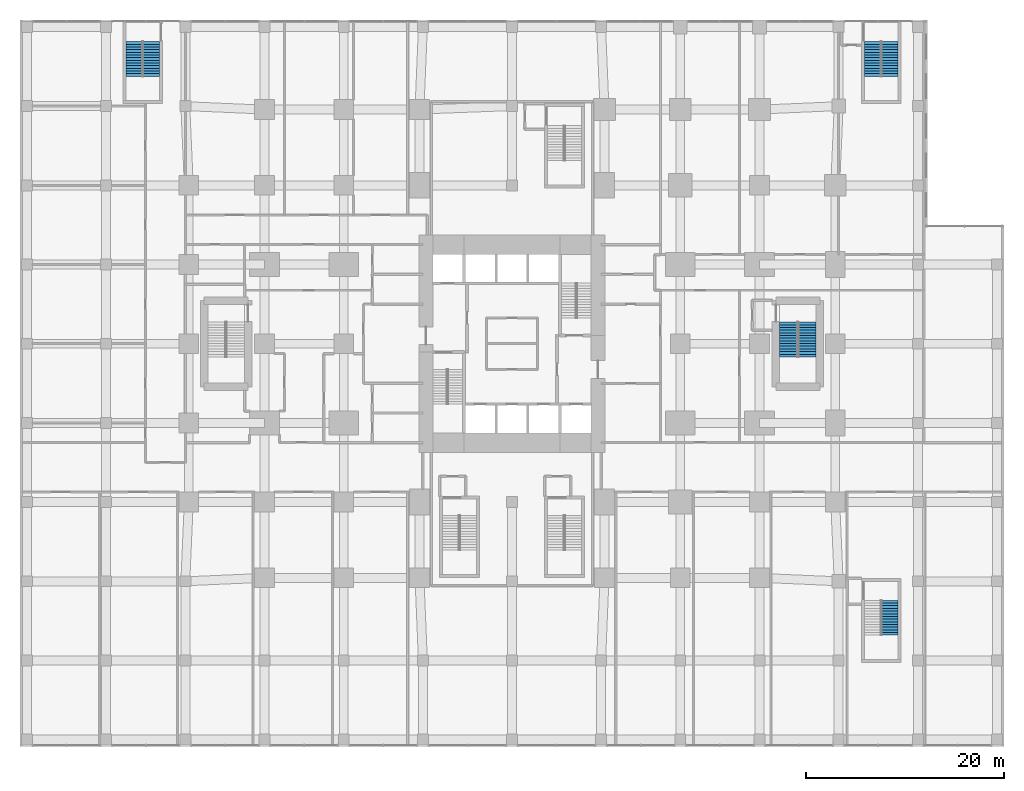
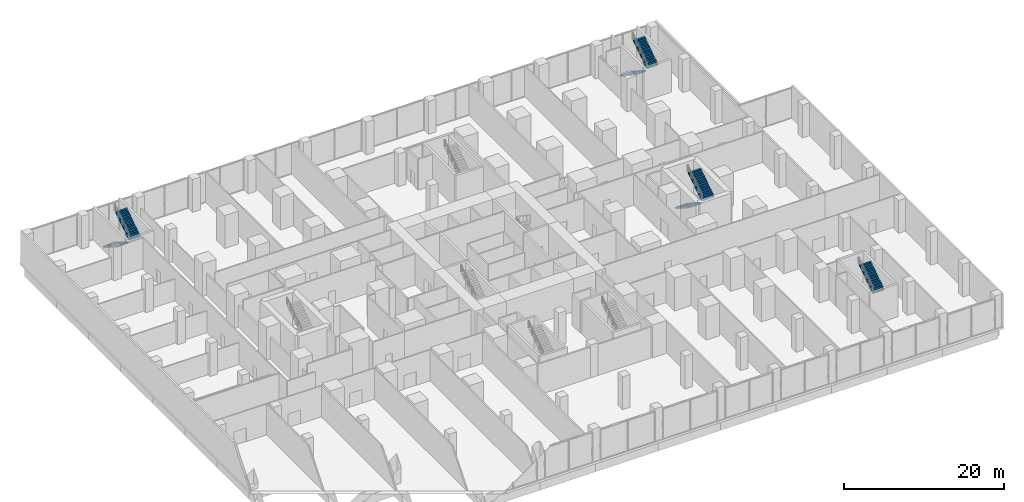
# One storey, part 21 of 22: 7 stair flights, 4 elements without a shape of their own.
"""IFC4 building model written with IfcOpenShell, lengths in metres."""

from ifc_helpers import new_model, si_unit, direction, frame, origin, place, context, subcontext, project, spatial, polyline, outline, extrude, material, type_object, element, aggregate, save


model = new_model("IFC4")

# Units and contexts
model_context = context("Model", 3, precision=1e-05, world=origin(), true_north=direction((0.0, 1.0)))
body_context = subcontext(model_context, "Body", "Model", "MODEL_VIEW")
ifc_project = project(units=[si_unit("LENGTHUNIT", "METRE"), si_unit("AREAUNIT", "SQUARE_METRE"), si_unit("VOLUMEUNIT", "CUBIC_METRE"), si_unit("PLANEANGLEUNIT", "RADIAN"), si_unit("MASSUNIT", "GRAM", prefix="KILO")], contexts=[model_context])

# Site, building, storey
site_placement = place(None, origin())
site = spatial("IfcSite", under=ifc_project, at=site_placement, CompositionType="ELEMENT")
building_placement = place(site_placement, origin())
building = spatial("IfcBuilding", under=site, at=building_placement, Name="Cleftline Residences", CompositionType="ELEMENT")
storey_placement = place(building_placement, frame((0.0, 0.0, 6.0)))
storey = spatial("IfcBuildingStorey", under=building, at=storey_placement, Name="L01", CompositionType="ELEMENT", Elevation=6.0)

# Stair, stair flights
ifc_material_1 = material(Name="Concrete B45, stone treads", Category="masonry")
stair_type_1 = type_object("IfcStairType", Name="STAIR E 1800 WIDE 179 RISER", PredefinedType="HALF_TURN_STAIR", material=ifc_material_1)
stair_1_placement = place(storey_placement, origin())
stair_1 = element("IfcStair", 1, at=stair_1_placement, inside=storey, type_object=stair_type_1, Name="Stair E L01", PredefinedType="HALF_TURN_STAIR")
ifc_material_2 = material(Name="Concrete B45", Category="concrete")
stair_flight_type_1 = type_object("IfcStairFlightType", Name="STAIR E FLIGHT 1800X179", PredefinedType="STRAIGHT", material=ifc_material_2)
stair_flight_1_placement = place(storey_placement, frame((60.925048828125, 26.175048828125, 0.0), z_axis=(0.0, 0.0, 1.0), x_axis=(0.0, -1.0, 0.0)))
stair_flight_1 = element("IfcStairFlight", 2, at=stair_flight_1_placement, type_object=stair_flight_type_1, Name="ST-E flight 1", NumberOfRisers=14, NumberOfTreads=13, PredefinedType="STRAIGHT", RiserHeight=0.178571429, TreadLength=0.27, context=body_context, shape_type="SweptSolid", body=[
    extrude(outline(polyline([(0.0, 0.0), (0.0, 0.013671875), (0.0, 0.027587890625), (0.0, 0.041259765625), (0.0, 0.054931640625), (0.0, 0.068603515625), (0.0, 0.08251953125), (0.0, 0.09619140625), (0.0, 0.10986328125), (0.0, 0.12353515625), (0.0, 0.137451171875), (0.0, 0.151123046875), (0.0, 0.164794921875), (0.0, 0.178466796875), (0.27001953125, 0.178466796875), (0.27001953125, 0.357177734375), (0.5400390625, 0.357177734375), (0.5400390625, 0.53564453125), (0.81005859375, 0.53564453125), (0.81005859375, 0.71435546875), (1.080078125, 0.71435546875), (1.080078125, 0.892822265625), (1.35009765625, 0.892822265625), (1.35009765625, 1.071533203125), (1.6201171875, 1.071533203125), (1.6201171875, 1.25), (1.889892578125, 1.25), (1.889892578125, 1.428466796875), (2.159912109375, 1.428466796875), (2.159912109375, 1.607177734375), (2.429931640625, 1.607177734375), (2.429931640625, 1.78564453125), (2.699951171875, 1.78564453125), (2.699951171875, 1.96435546875), (2.969970703125, 1.96435546875), (2.969970703125, 2.142822265625), (3.239990234375, 2.142822265625), (3.239990234375, 2.321533203125), (3.510009765625, 2.321533203125), (3.510009765625, 2.5), (3.510009765625, 2.472412109375), (3.510009765625, 2.44482421875), (3.510009765625, 2.417236328125), (3.510009765625, 2.3896484375), (3.510009765625, 2.3623046875), (3.510009765625, 2.334716796875), (3.510009765625, 2.30712890625), (3.510009765625, 2.279541015625), (3.510009765625, 2.251953125), (3.510009765625, 2.224365234375), (3.510009765625, 2.19677734375), (3.510009765625, 2.169189453125), (3.510009765625, 2.1416015625), (0.271728515625, 0.0), (0.0, 0.0)])), frame((0.0, 0.89990234375, 0.0), z_axis=(0.0, -1.0, 0.0), x_axis=(1.0, 0.0, 0.0)), (0.0, 0.0, 1.0), 1.800048828125),
])
stair_flight_2_placement = place(storey_placement, frame((62.824951171875, 22.6650390625, 2.5), z_axis=(0.0, 0.0, 1.0), x_axis=(0.0, 1.0, 0.0)))
stair_flight_2 = element("IfcStairFlight", 3, at=stair_flight_2_placement, type_object=stair_flight_type_1, Name="ST-E flight 2", NumberOfRisers=14, NumberOfTreads=13, PredefinedType="STRAIGHT", RiserHeight=0.178571429, TreadLength=0.27, context=body_context, shape_type="SweptSolid", body=[
    extrude(outline(polyline([(0.0, 0.0), (0.0, 0.013671875), (0.0, 0.027587890625), (0.0, 0.041259765625), (0.0, 0.054931640625), (0.0, 0.068603515625), (0.0, 0.08251953125), (0.0, 0.09619140625), (0.0, 0.10986328125), (0.0, 0.12353515625), (0.0, 0.137451171875), (0.0, 0.151123046875), (0.0, 0.164794921875), (0.0, 0.178466796875), (0.27001953125, 0.178466796875), (0.27001953125, 0.357177734375), (0.5400390625, 0.357177734375), (0.5400390625, 0.53564453125), (0.81005859375, 0.53564453125), (0.81005859375, 0.71435546875), (1.080078125, 0.71435546875), (1.080078125, 0.892822265625), (1.35009765625, 0.892822265625), (1.35009765625, 1.071533203125), (1.6201171875, 1.071533203125), (1.6201171875, 1.25), (1.889892578125, 1.25), (1.889892578125, 1.428466796875), (2.159912109375, 1.428466796875), (2.159912109375, 1.607177734375), (2.429931640625, 1.607177734375), (2.429931640625, 1.78564453125), (2.699951171875, 1.78564453125), (2.699951171875, 1.96435546875), (2.969970703125, 1.96435546875), (2.969970703125, 2.142822265625), (3.239990234375, 2.142822265625), (3.239990234375, 2.321533203125), (3.510009765625, 2.321533203125), (3.510009765625, 2.5), (3.510009765625, 2.472412109375), (3.510009765625, 2.44482421875), (3.510009765625, 2.417236328125), (3.510009765625, 2.3896484375), (3.510009765625, 2.3623046875), (3.510009765625, 2.334716796875), (3.510009765625, 2.30712890625), (3.510009765625, 2.279541015625), (3.510009765625, 2.251953125), (3.510009765625, 2.224365234375), (3.510009765625, 2.19677734375), (3.510009765625, 2.169189453125), (3.510009765625, 2.1416015625), (0.271728515625, 0.0), (0.0, 0.0)])), frame((0.0, 0.89990234375, 0.0), z_axis=(0.0, -1.0, 0.0), x_axis=(1.0, 0.0, 0.0)), (0.0, 0.0, 1.0), 1.800048828125),
])
aggregate(stair_1, [stair_flight_1, stair_flight_2])

ifc_material_3 = material(Name="Concrete B45, stone treads", Category="masonry")
stair_type_2 = type_object("IfcStairType", Name="STAIR PS-E 1630 WIDE 179 RISER", PredefinedType="HALF_TURN_STAIR", material=ifc_material_3)
stair_2_placement = place(storey_placement, origin())
stair_2 = element("IfcStair", 4, at=stair_2_placement, inside=storey, type_object=stair_type_2, Name="Stair PS-E L01", PredefinedType="HALF_TURN_STAIR")
ifc_material_4 = material(Name="Concrete B45", Category="concrete")
stair_flight_type_2 = type_object("IfcStairFlightType", Name="STAIR PS-E FLIGHT 1630X179", PredefinedType="STRAIGHT", material=ifc_material_4)
stair_flight_3_placement = place(storey_placement, frame((69.4150390625, 54.52001953125, 0.0), z_axis=(0.0, 0.0, 1.0), x_axis=(0.0, -1.0, 0.0)))
stair_flight_3 = element("IfcStairFlight", 5, at=stair_flight_3_placement, type_object=stair_flight_type_2, Name="ST-PS-E flight 1", NumberOfRisers=14, NumberOfTreads=13, PredefinedType="STRAIGHT", RiserHeight=0.178571429, TreadLength=0.27, context=body_context, shape_type="SweptSolid", body=[
    extrude(outline(polyline([(0.0, 0.0), (0.0, 0.013671875), (0.0, 0.027587890625), (0.0, 0.041259765625), (0.0, 0.054931640625), (0.0, 0.068603515625), (0.0, 0.08251953125), (0.0, 0.09619140625), (0.0, 0.10986328125), (0.0, 0.12353515625), (0.0, 0.137451171875), (0.0, 0.151123046875), (0.0, 0.164794921875), (0.0, 0.178466796875), (0.27001953125, 0.178466796875), (0.27001953125, 0.357177734375), (0.5400390625, 0.357177734375), (0.5400390625, 0.53564453125), (0.81005859375, 0.53564453125), (0.81005859375, 0.71435546875), (1.080078125, 0.71435546875), (1.080078125, 0.892822265625), (1.35009765625, 0.892822265625), (1.35009765625, 1.071533203125), (1.6201171875, 1.071533203125), (1.6201171875, 1.25), (1.889892578125, 1.25), (1.889892578125, 1.428466796875), (2.159912109375, 1.428466796875), (2.159912109375, 1.607177734375), (2.429931640625, 1.607177734375), (2.429931640625, 1.78564453125), (2.699951171875, 1.78564453125), (2.699951171875, 1.96435546875), (2.969970703125, 1.96435546875), (2.969970703125, 2.142822265625), (3.239990234375, 2.142822265625), (3.239990234375, 2.321533203125), (3.510009765625, 2.321533203125), (3.510009765625, 2.5), (3.510009765625, 2.472412109375), (3.510009765625, 2.44482421875), (3.510009765625, 2.417236328125), (3.510009765625, 2.3896484375), (3.510009765625, 2.3623046875), (3.510009765625, 2.334716796875), (3.510009765625, 2.30712890625), (3.510009765625, 2.279541015625), (3.510009765625, 2.251953125), (3.510009765625, 2.224365234375), (3.510009765625, 2.19677734375), (3.510009765625, 2.169189453125), (3.510009765625, 2.1416015625), (0.271728515625, 0.0), (0.0, 0.0)])), frame((0.0, 0.81494140625, 0.0), z_axis=(0.0, -1.0, 0.0), x_axis=(1.0, 0.0, 0.0)), (0.0, 0.0, 1.0), 1.6298828125),
])
stair_flight_4_placement = place(storey_placement, frame((71.18505859375, 51.010009765625, 2.5), z_axis=(0.0, 0.0, 1.0), x_axis=(0.0, 1.0, 0.0)))
stair_flight_4 = element("IfcStairFlight", 6, at=stair_flight_4_placement, type_object=stair_flight_type_2, Name="ST-PS-E flight 2", NumberOfRisers=14, NumberOfTreads=13, PredefinedType="STRAIGHT", RiserHeight=0.178571429, TreadLength=0.27, context=body_context, shape_type="SweptSolid", body=[
    extrude(outline(polyline([(0.0, 0.0), (0.0, 0.013671875), (0.0, 0.027587890625), (0.0, 0.041259765625), (0.0, 0.054931640625), (0.0, 0.068603515625), (0.0, 0.08251953125), (0.0, 0.09619140625), (0.0, 0.10986328125), (0.0, 0.12353515625), (0.0, 0.137451171875), (0.0, 0.151123046875), (0.0, 0.164794921875), (0.0, 0.178466796875), (0.27001953125, 0.178466796875), (0.27001953125, 0.357177734375), (0.5400390625, 0.357177734375), (0.5400390625, 0.53564453125), (0.81005859375, 0.53564453125), (0.81005859375, 0.71435546875), (1.080078125, 0.71435546875), (1.080078125, 0.892822265625), (1.35009765625, 0.892822265625), (1.35009765625, 1.071533203125), (1.6201171875, 1.071533203125), (1.6201171875, 1.25), (1.889892578125, 1.25), (1.889892578125, 1.428466796875), (2.159912109375, 1.428466796875), (2.159912109375, 1.607177734375), (2.429931640625, 1.607177734375), (2.429931640625, 1.78564453125), (2.699951171875, 1.78564453125), (2.699951171875, 1.96435546875), (2.969970703125, 1.96435546875), (2.969970703125, 2.142822265625), (3.239990234375, 2.142822265625), (3.239990234375, 2.321533203125), (3.510009765625, 2.321533203125), (3.510009765625, 2.5), (3.510009765625, 2.472412109375), (3.510009765625, 2.44482421875), (3.510009765625, 2.417236328125), (3.510009765625, 2.3896484375), (3.510009765625, 2.3623046875), (3.510009765625, 2.334716796875), (3.510009765625, 2.30712890625), (3.510009765625, 2.279541015625), (3.510009765625, 2.251953125), (3.510009765625, 2.224365234375), (3.510009765625, 2.19677734375), (3.510009765625, 2.169189453125), (3.510009765625, 2.1416015625), (0.271728515625, 0.0), (0.0, 0.0)])), frame((0.0, 0.81494140625, 0.0), z_axis=(0.0, -1.0, 0.0), x_axis=(1.0, 0.0, 0.0)), (0.0, 0.0, 1.0), 1.6298828125),
])
aggregate(stair_2, [stair_flight_3, stair_flight_4])

# Stair, stair flight
ifc_material_5 = material(Name="Concrete B45, stone treads", Category="masonry")
stair_type_3 = type_object("IfcStairType", Name="STAIR PS-S 1630 WIDE 179 RISER", PredefinedType="HALF_TURN_STAIR", material=ifc_material_5)
stair_3_placement = place(storey_placement, origin())
stair_3 = element("IfcStair", 7, at=stair_3_placement, inside=storey, type_object=stair_type_3, Name="Stair PS-S L01", PredefinedType="HALF_TURN_STAIR")
ifc_material_6 = material(Name="Concrete B45", Category="concrete")
stair_flight_type_3 = type_object("IfcStairFlightType", Name="STAIR PS-S FLIGHT 1630X179", PredefinedType="STRAIGHT", material=ifc_material_6)
stair_flight_5_placement = place(storey_placement, frame((71.18505859375, -5.43994140625, 2.5), z_axis=(0.0, 0.0, 1.0), x_axis=(0.0, 1.0, 0.0)))
stair_flight_5 = element("IfcStairFlight", 8, at=stair_flight_5_placement, type_object=stair_flight_type_3, Name="ST-PS-S flight 2", NumberOfRisers=14, NumberOfTreads=13, PredefinedType="STRAIGHT", RiserHeight=0.178571429, TreadLength=0.27, context=body_context, shape_type="SweptSolid", body=[
    extrude(outline(polyline([(0.0, 0.0), (0.0, 0.013671875), (0.0, 0.027587890625), (0.0, 0.041259765625), (0.0, 0.054931640625), (0.0, 0.068603515625), (0.0, 0.08251953125), (0.0, 0.09619140625), (0.0, 0.10986328125), (0.0, 0.12353515625), (0.0, 0.137451171875), (0.0, 0.151123046875), (0.0, 0.164794921875), (0.0, 0.178466796875), (0.27001953125, 0.178466796875), (0.27001953125, 0.357177734375), (0.5400390625, 0.357177734375), (0.5400390625, 0.53564453125), (0.81005859375, 0.53564453125), (0.81005859375, 0.71435546875), (1.080078125, 0.71435546875), (1.080078125, 0.892822265625), (1.35009765625, 0.892822265625), (1.35009765625, 1.071533203125), (1.6201171875, 1.071533203125), (1.6201171875, 1.25), (1.889892578125, 1.25), (1.889892578125, 1.428466796875), (2.159912109375, 1.428466796875), (2.159912109375, 1.607177734375), (2.429931640625, 1.607177734375), (2.429931640625, 1.78564453125), (2.699951171875, 1.78564453125), (2.699951171875, 1.96435546875), (2.969970703125, 1.96435546875), (2.969970703125, 2.142822265625), (3.239990234375, 2.142822265625), (3.239990234375, 2.321533203125), (3.510009765625, 2.321533203125), (3.510009765625, 2.5), (3.510009765625, 2.472412109375), (3.510009765625, 2.44482421875), (3.510009765625, 2.417236328125), (3.510009765625, 2.3896484375), (3.510009765625, 2.3623046875), (3.510009765625, 2.334716796875), (3.510009765625, 2.30712890625), (3.510009765625, 2.279541015625), (3.510009765625, 2.251953125), (3.510009765625, 2.224365234375), (3.510009765625, 2.19677734375), (3.510009765625, 2.169189453125), (3.510009765625, 2.1416015625), (0.271728515625, 0.0), (0.0, 0.0)])), frame((0.0, 0.81494140625, 0.0), z_axis=(0.0, -1.0, 0.0), x_axis=(1.0, 0.0, 0.0)), (0.0, 0.0, 1.0), 1.6298828125),
])
aggregate(stair_3, [stair_flight_5])

# Stair, stair flights
ifc_material_7 = material(Name="Concrete B45, stone treads", Category="masonry")
stair_type_4 = type_object("IfcStairType", Name="STAIR PS-W 1630 WIDE 179 RISER", PredefinedType="HALF_TURN_STAIR", material=ifc_material_7)
stair_4_placement = place(storey_placement, origin())
stair_4 = element("IfcStair", 9, at=stair_4_placement, inside=storey, type_object=stair_type_4, Name="Stair PS-W L01", PredefinedType="HALF_TURN_STAIR")
ifc_material_8 = material(Name="Concrete B45", Category="concrete")
stair_flight_type_4 = type_object("IfcStairFlightType", Name="STAIR PS-W FLIGHT 1630X179", PredefinedType="STRAIGHT", material=ifc_material_8)
stair_flight_6_placement = place(storey_placement, frame((-5.18505859375, 54.52001953125, 0.0), z_axis=(0.0, 0.0, 1.0), x_axis=(0.0, -1.0, 0.0)))
stair_flight_6 = element("IfcStairFlight", 10, at=stair_flight_6_placement, type_object=stair_flight_type_4, Name="ST-PS-W flight 1", NumberOfRisers=14, NumberOfTreads=13, PredefinedType="STRAIGHT", RiserHeight=0.178571429, TreadLength=0.27, context=body_context, shape_type="SweptSolid", body=[
    extrude(outline(polyline([(0.0, 0.0), (0.0, 0.013671875), (0.0, 0.027587890625), (0.0, 0.041259765625), (0.0, 0.054931640625), (0.0, 0.068603515625), (0.0, 0.08251953125), (0.0, 0.09619140625), (0.0, 0.10986328125), (0.0, 0.12353515625), (0.0, 0.137451171875), (0.0, 0.151123046875), (0.0, 0.164794921875), (0.0, 0.178466796875), (0.27001953125, 0.178466796875), (0.27001953125, 0.357177734375), (0.5400390625, 0.357177734375), (0.5400390625, 0.53564453125), (0.81005859375, 0.53564453125), (0.81005859375, 0.71435546875), (1.080078125, 0.71435546875), (1.080078125, 0.892822265625), (1.35009765625, 0.892822265625), (1.35009765625, 1.071533203125), (1.6201171875, 1.071533203125), (1.6201171875, 1.25), (1.889892578125, 1.25), (1.889892578125, 1.428466796875), (2.159912109375, 1.428466796875), (2.159912109375, 1.607177734375), (2.429931640625, 1.607177734375), (2.429931640625, 1.78564453125), (2.699951171875, 1.78564453125), (2.699951171875, 1.96435546875), (2.969970703125, 1.96435546875), (2.969970703125, 2.142822265625), (3.239990234375, 2.142822265625), (3.239990234375, 2.321533203125), (3.510009765625, 2.321533203125), (3.510009765625, 2.5), (3.510009765625, 2.472412109375), (3.510009765625, 2.44482421875), (3.510009765625, 2.417236328125), (3.510009765625, 2.3896484375), (3.510009765625, 2.3623046875), (3.510009765625, 2.334716796875), (3.510009765625, 2.30712890625), (3.510009765625, 2.279541015625), (3.510009765625, 2.251953125), (3.510009765625, 2.224365234375), (3.510009765625, 2.19677734375), (3.510009765625, 2.169189453125), (3.510009765625, 2.1416015625), (0.271728515625, 0.0), (0.0, 0.0)])), frame((0.0, 0.81494140625, 0.0), z_axis=(0.0, -1.0, 0.0), x_axis=(1.0, 0.0, 0.0)), (0.0, 0.0, 1.0), 1.6298828125),
])
stair_flight_7_placement = place(storey_placement, frame((-3.4150390625, 51.010009765625, 2.5), z_axis=(0.0, 0.0, 1.0), x_axis=(0.0, 1.0, 0.0)))
stair_flight_7 = element("IfcStairFlight", 11, at=stair_flight_7_placement, type_object=stair_flight_type_4, Name="ST-PS-W flight 2", NumberOfRisers=14, NumberOfTreads=13, PredefinedType="STRAIGHT", RiserHeight=0.178571429, TreadLength=0.27, context=body_context, shape_type="SweptSolid", body=[
    extrude(outline(polyline([(0.0, 0.0), (0.0, 0.013671875), (0.0, 0.027587890625), (0.0, 0.041259765625), (0.0, 0.054931640625), (0.0, 0.068603515625), (0.0, 0.08251953125), (0.0, 0.09619140625), (0.0, 0.10986328125), (0.0, 0.12353515625), (0.0, 0.137451171875), (0.0, 0.151123046875), (0.0, 0.164794921875), (0.0, 0.178466796875), (0.27001953125, 0.178466796875), (0.27001953125, 0.357177734375), (0.5400390625, 0.357177734375), (0.5400390625, 0.53564453125), (0.81005859375, 0.53564453125), (0.81005859375, 0.71435546875), (1.080078125, 0.71435546875), (1.080078125, 0.892822265625), (1.35009765625, 0.892822265625), (1.35009765625, 1.071533203125), (1.6201171875, 1.071533203125), (1.6201171875, 1.25), (1.889892578125, 1.25), (1.889892578125, 1.428466796875), (2.159912109375, 1.428466796875), (2.159912109375, 1.607177734375), (2.429931640625, 1.607177734375), (2.429931640625, 1.78564453125), (2.699951171875, 1.78564453125), (2.699951171875, 1.96435546875), (2.969970703125, 1.96435546875), (2.969970703125, 2.142822265625), (3.239990234375, 2.142822265625), (3.239990234375, 2.321533203125), (3.510009765625, 2.321533203125), (3.510009765625, 2.5), (3.510009765625, 2.472412109375), (3.510009765625, 2.44482421875), (3.510009765625, 2.417236328125), (3.510009765625, 2.3896484375), (3.510009765625, 2.3623046875), (3.510009765625, 2.334716796875), (3.510009765625, 2.30712890625), (3.510009765625, 2.279541015625), (3.510009765625, 2.251953125), (3.510009765625, 2.224365234375), (3.510009765625, 2.19677734375), (3.510009765625, 2.169189453125), (3.510009765625, 2.1416015625), (0.271728515625, 0.0), (0.0, 0.0)])), frame((0.0, 0.81494140625, 0.0), z_axis=(0.0, -1.0, 0.0), x_axis=(1.0, 0.0, 0.0)), (0.0, 0.0, 1.0), 1.6298828125),
])
aggregate(stair_4, [stair_flight_6, stair_flight_7])

save(model, "model.ifc")
